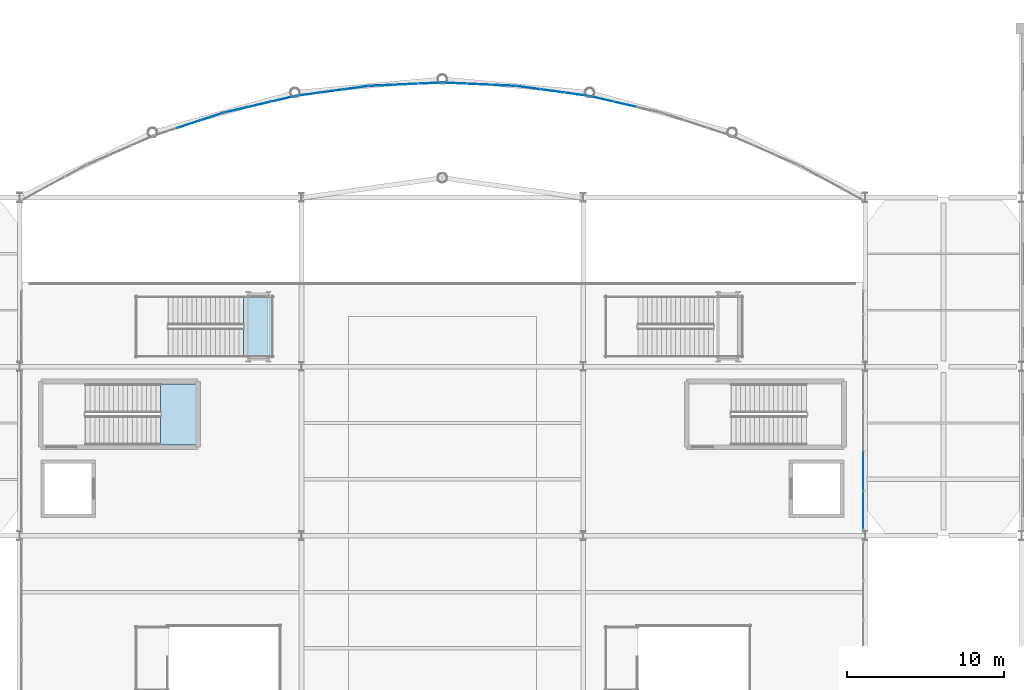
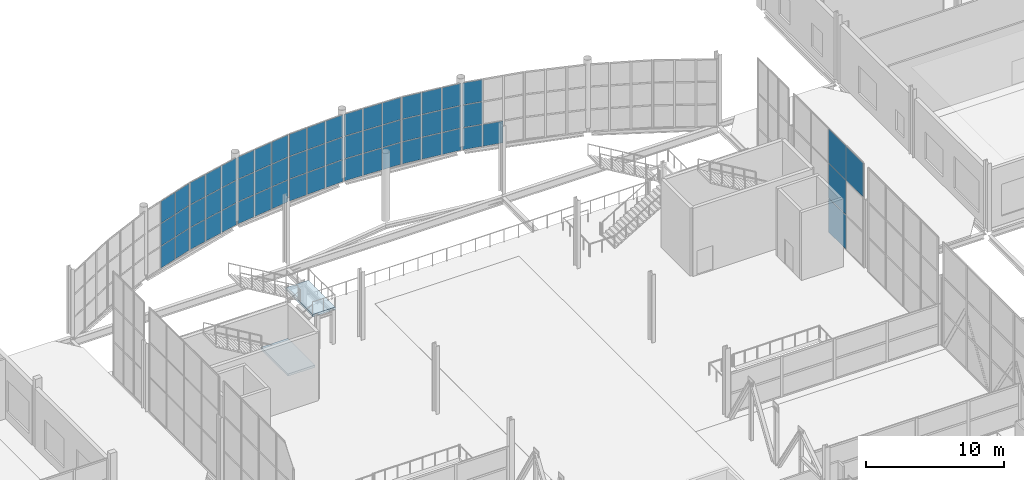
# One storey, part 155 of 191: 59 plates, 2 slabs, 10 elements without a shape of their own.
"""IFC4 building model written with IfcOpenShell, lengths in metres."""

from ifc_helpers import new_model, si_unit, direction, frame, origin, origin_2d, place, context, subcontext, project, spatial, polyline, rectangle, outline, extrude, material, layer, layer_set, type_object, element, aggregate, save


model = new_model("IFC4")

# Units and contexts
model_context = context("Model", 3, precision=1e-05, world=origin(), true_north=direction((0.0, 1.0)))
body_context = subcontext(model_context, "Body", "Model", "MODEL_VIEW")
ifc_project = project(units=[si_unit("LENGTHUNIT", "METRE"), si_unit("AREAUNIT", "SQUARE_METRE"), si_unit("VOLUMEUNIT", "CUBIC_METRE"), si_unit("PLANEANGLEUNIT", "RADIAN"), si_unit("MASSUNIT", "GRAM", prefix="KILO")], contexts=[model_context])

# Site, building, storey
site_placement = place(None, origin())
site = spatial("IfcSite", under=ifc_project, at=site_placement, CompositionType="ELEMENT")
building_placement = place(site_placement, origin())
building = spatial("IfcBuilding", under=site, at=building_placement, Name="Tamarisk Ironworks Central Station", CompositionType="ELEMENT")
storey_placement = place(building_placement, frame((0.0, 0.0, 6.60009765625)))
storey = spatial("IfcBuildingStorey", under=building, at=storey_placement, Name="L01", CompositionType="ELEMENT", Elevation=6.60009765625)

# Curtain wall, plates
ifc_material_1 = material(Name="Anodized aluminium alloy 6063-T6", Category="aluminium")
ifc_layer_1 = layer(ifc_material_1, 0.179931640625)
ifc_layer_set_1 = layer_set([ifc_layer_1], Name="Anodized aluminium alloy 6063-T6")
curtain_wall_type_1 = type_object("IfcCurtainWallType", Name="CW-08", PredefinedType="USERDEFINED", material=ifc_layer_set_1)
curtain_wall_1_placement = place(storey_placement, origin())
curtain_wall_1 = element("IfcCurtainWall", 1, at=curtain_wall_1_placement, inside=storey, type_object=curtain_wall_type_1, Name="Concourse E track-overlook curtain wall 07", ObjectType="GLAZED CURTAIN WALL", PredefinedType="USERDEFINED")
ifc_layer_2 = layer(ifc_material_1, 0.02392578125)
ifc_layer_set_2 = layer_set([ifc_layer_2], Name="Anodized aluminium alloy 6063-T6")
plate_type_1 = type_object("IfcPlateType", Name="PL-CWP24", PredefinedType="CURTAIN_PANEL", material=ifc_layer_set_2)
plate_1_placement = place(storey_placement, frame((107.8798828125, 91.62744140625, 6.17041015625), z_axis=(0.0, 0.0, 1.0), x_axis=(0.0, 1.0, 0.0)))
plate_1 = element("IfcPlate", 2, at=plate_1_placement, type_object=plate_type_1, Name="CW08 panel 1.3", PredefinedType="CURTAIN_PANEL", context=body_context, shape_type="SweptSolid", body=[
    extrude(rectangle(XDim=2.447021484375, YDim=0.02392578125, at=origin_2d()), origin(), (0.0, 0.0, 1.0), 2.995361328125),
])
plate_2_placement = place(storey_placement, frame((107.8798828125, 94.137451171875, 0.0537109375), z_axis=(0.0, 0.0, 1.0), x_axis=(0.0, 1.0, 0.0)))
plate_2 = element("IfcPlate", 3, at=plate_2_placement, type_object=plate_type_1, Name="CW08 panel 2.1", PredefinedType="CURTAIN_PANEL", context=body_context, shape_type="SweptSolid", body=[
    extrude(rectangle(XDim=2.47705078125, YDim=0.02392578125, at=origin_2d()), origin(), (0.0, 0.0, 1.0), 2.995361328125),
])
plate_3_placement = place(storey_placement, frame((107.8798828125, 94.137451171875, 3.09716796875), z_axis=(0.0, 0.0, 1.0), x_axis=(0.0, 1.0, 0.0)))
plate_3 = element("IfcPlate", 4, at=plate_3_placement, type_object=plate_type_1, Name="CW08 panel 2.2", PredefinedType="CURTAIN_PANEL", context=body_context, shape_type="SweptSolid", body=[
    extrude(rectangle(XDim=2.47705078125, YDim=0.02392578125, at=origin_2d()), origin(), (0.0, 0.0, 1.0), 3.025390625),
])
plate_4_placement = place(storey_placement, frame((107.8798828125, 94.137451171875, 6.17041015625), z_axis=(0.0, 0.0, 1.0), x_axis=(0.0, 1.0, 0.0)))
plate_4 = element("IfcPlate", 5, at=plate_4_placement, type_object=plate_type_1, Name="CW08 panel 2.3", PredefinedType="CURTAIN_PANEL", context=body_context, shape_type="SweptSolid", body=[
    extrude(rectangle(XDim=2.47705078125, YDim=0.02392578125, at=origin_2d()), origin(), (0.0, 0.0, 1.0), 2.995361328125),
])
aggregate(curtain_wall_1, [plate_1, plate_2, plate_3, plate_4])

ifc_layer_3 = layer(ifc_material_1, 0.179931640625)
ifc_layer_set_3 = layer_set([ifc_layer_3], Name="Anodized aluminium alloy 6063-T6")
curtain_wall_type_2 = type_object("IfcCurtainWallType", Name="CW-02", PredefinedType="USERDEFINED", material=ifc_layer_set_3)
curtain_wall_2_placement = place(storey_placement, origin())
curtain_wall_2 = element("IfcCurtainWall", 6, at=curtain_wall_2_placement, inside=storey, type_object=curtain_wall_type_2, Name="NN rounded entrance hall L01 curtain wall bay 03", ObjectType="GLAZED CURTAIN WALL", PredefinedType="USERDEFINED")
ifc_material_2 = material(Name="Laminated solar-control low-E glass", Category="glass")
ifc_layer_4 = layer(ifc_material_2, 0.028076171875)
ifc_layer_set_4 = layer_set([ifc_layer_4], Name="Laminated solar-control low-E glass")
plate_type_2 = type_object("IfcPlateType", Name="PL-CWP28", PredefinedType="CURTAIN_PANEL", material=ifc_layer_set_4)
plate_5_placement = place(storey_placement, frame((64.8046875, 116.28466796875, -0.3310546875), z_axis=(0.0, 0.0, 1.0), x_axis=(0.949720671692, 0.313098460171, 0.0)))
plate_5 = element("IfcPlate", 7, at=plate_5_placement, type_object=plate_type_2, Name="CW02 panel 2.1", PredefinedType="CURTAIN_PANEL", context=body_context, shape_type="SweptSolid", body=[
    extrude(rectangle(XDim=1.52197265625, YDim=0.028076171875, at=origin_2d()), origin(), (0.0, 0.0, 1.0), 1.923583984375),
])
plate_6_placement = place(storey_placement, frame((64.8046875, 116.28466796875, 1.640625), z_axis=(0.0, 0.0, 1.0), x_axis=(0.949720671692, 0.313098460171, 0.0)))
plate_6 = element("IfcPlate", 8, at=plate_6_placement, type_object=plate_type_2, Name="CW02 panel 2.2", PredefinedType="CURTAIN_PANEL", context=body_context, shape_type="SweptSolid", body=[
    extrude(rectangle(XDim=1.52197265625, YDim=0.028076171875, at=origin_2d()), origin(), (0.0, 0.0, 1.0), 1.95361328125),
])
plate_7_placement = place(storey_placement, frame((64.8046875, 116.28466796875, 3.64208984375), z_axis=(0.0, 0.0, 1.0), x_axis=(0.949720671692, 0.313098460171, 0.0)))
plate_7 = element("IfcPlate", 9, at=plate_7_placement, type_object=plate_type_2, Name="CW02 panel 2.3", PredefinedType="CURTAIN_PANEL", context=body_context, shape_type="SweptSolid", body=[
    extrude(rectangle(XDim=1.52197265625, YDim=0.028076171875, at=origin_2d()), origin(), (0.0, 0.0, 1.0), 1.923583984375),
])
plate_8_placement = place(storey_placement, frame((66.28125, 116.771484375, -0.3310546875), z_axis=(0.0, 0.0, 1.0), x_axis=(0.949720671692, 0.313098460171, 0.0)))
plate_8 = element("IfcPlate", 10, at=plate_8_placement, type_object=plate_type_2, Name="CW02 panel 3.1", PredefinedType="CURTAIN_PANEL", context=body_context, shape_type="SweptSolid", body=[
    extrude(rectangle(XDim=1.491943359375, YDim=0.028076171875, at=origin_2d()), origin(), (0.0, 0.0, 1.0), 1.923583984375),
])
plate_9_placement = place(storey_placement, frame((66.28125, 116.771484375, 1.640625), z_axis=(0.0, 0.0, 1.0), x_axis=(0.949720671692, 0.313098460171, 0.0)))
plate_9 = element("IfcPlate", 11, at=plate_9_placement, type_object=plate_type_2, Name="CW02 panel 3.2", PredefinedType="CURTAIN_PANEL", context=body_context, shape_type="SweptSolid", body=[
    extrude(rectangle(XDim=1.491943359375, YDim=0.028076171875, at=origin_2d()), origin(), (0.0, 0.0, 1.0), 1.95361328125),
])
plate_10_placement = place(storey_placement, frame((66.28125, 116.771484375, 3.64208984375), z_axis=(0.0, 0.0, 1.0), x_axis=(0.949720671692, 0.313098460171, 0.0)))
plate_10 = element("IfcPlate", 12, at=plate_10_placement, type_object=plate_type_2, Name="CW02 panel 3.3", PredefinedType="CURTAIN_PANEL", context=body_context, shape_type="SweptSolid", body=[
    extrude(rectangle(XDim=1.491943359375, YDim=0.028076171875, at=origin_2d()), origin(), (0.0, 0.0, 1.0), 1.923583984375),
])
aggregate(curtain_wall_2, [plate_5, plate_6, plate_7, plate_8, plate_9, plate_10])

curtain_wall_3_placement = place(storey_placement, origin())
curtain_wall_3 = element("IfcCurtainWall", 13, at=curtain_wall_3_placement, inside=storey, type_object=curtain_wall_type_2, Name="NN rounded entrance hall L01 curtain wall bay 04", ObjectType="GLAZED CURTAIN WALL", PredefinedType="USERDEFINED")
plate_11_placement = place(storey_placement, frame((67.8203125, 117.202392578125, -0.3310546875), z_axis=(0.0, 0.0, 1.0), x_axis=(0.974239240545, 0.225516966506, 0.0)))
plate_11 = element("IfcPlate", 14, at=plate_11_placement, type_object=plate_type_2, Name="CW02 panel 1.1", PredefinedType="CURTAIN_PANEL", context=body_context, shape_type="SweptSolid", body=[
    extrude(rectangle(XDim=1.491943359375, YDim=0.028076171875, at=origin_2d()), origin(), (0.0, 0.0, 1.0), 1.923583984375),
])
plate_12_placement = place(storey_placement, frame((67.8203125, 117.202392578125, 1.640625), z_axis=(0.0, 0.0, 1.0), x_axis=(0.974239240545, 0.225516966506, 0.0)))
plate_12 = element("IfcPlate", 15, at=plate_12_placement, type_object=plate_type_2, Name="CW02 panel 1.2", PredefinedType="CURTAIN_PANEL", context=body_context, shape_type="SweptSolid", body=[
    extrude(rectangle(XDim=1.491943359375, YDim=0.028076171875, at=origin_2d()), origin(), (0.0, 0.0, 1.0), 1.95361328125),
])
plate_13_placement = place(storey_placement, frame((67.8203125, 117.202392578125, 3.64208984375), z_axis=(0.0, 0.0, 1.0), x_axis=(0.974239240545, 0.225516966506, 0.0)))
plate_13 = element("IfcPlate", 16, at=plate_13_placement, type_object=plate_type_2, Name="CW02 panel 1.3", PredefinedType="CURTAIN_PANEL", context=body_context, shape_type="SweptSolid", body=[
    extrude(rectangle(XDim=1.491943359375, YDim=0.028076171875, at=origin_2d()), origin(), (0.0, 0.0, 1.0), 1.923583984375),
])
plate_14_placement = place(storey_placement, frame((69.335205078125, 117.552978515625, -0.3310546875), z_axis=(0.0, 0.0, 1.0), x_axis=(0.974239240545, 0.225516966506, 0.0)))
plate_14 = element("IfcPlate", 17, at=plate_14_placement, type_object=plate_type_2, Name="CW02 panel 2.1", PredefinedType="CURTAIN_PANEL", context=body_context, shape_type="SweptSolid", body=[
    extrude(rectangle(XDim=1.52197265625, YDim=0.028076171875, at=origin_2d()), origin(), (0.0, 0.0, 1.0), 1.923583984375),
])
plate_15_placement = place(storey_placement, frame((69.335205078125, 117.552978515625, 1.640625), z_axis=(0.0, 0.0, 1.0), x_axis=(0.974239240545, 0.225516966506, 0.0)))
plate_15 = element("IfcPlate", 18, at=plate_15_placement, type_object=plate_type_2, Name="CW02 panel 2.2", PredefinedType="CURTAIN_PANEL", context=body_context, shape_type="SweptSolid", body=[
    extrude(rectangle(XDim=1.52197265625, YDim=0.028076171875, at=origin_2d()), origin(), (0.0, 0.0, 1.0), 1.95361328125),
])
plate_16_placement = place(storey_placement, frame((69.335205078125, 117.552978515625, 3.64208984375), z_axis=(0.0, 0.0, 1.0), x_axis=(0.974239240545, 0.225516966506, 0.0)))
plate_16 = element("IfcPlate", 19, at=plate_16_placement, type_object=plate_type_2, Name="CW02 panel 2.3", PredefinedType="CURTAIN_PANEL", context=body_context, shape_type="SweptSolid", body=[
    extrude(rectangle(XDim=1.52197265625, YDim=0.028076171875, at=origin_2d()), origin(), (0.0, 0.0, 1.0), 1.923583984375),
])
plate_17_placement = place(storey_placement, frame((70.85009765625, 117.90380859375, -0.3310546875), z_axis=(0.0, 0.0, 1.0), x_axis=(0.974239240545, 0.225516966506, 0.0)))
plate_17 = element("IfcPlate", 20, at=plate_17_placement, type_object=plate_type_2, Name="CW02 panel 3.1", PredefinedType="CURTAIN_PANEL", context=body_context, shape_type="SweptSolid", body=[
    extrude(rectangle(XDim=1.491943359375, YDim=0.028076171875, at=origin_2d()), origin(), (0.0, 0.0, 1.0), 1.923583984375),
])
plate_18_placement = place(storey_placement, frame((70.85009765625, 117.90380859375, 1.640625), z_axis=(0.0, 0.0, 1.0), x_axis=(0.974239240545, 0.225516966506, 0.0)))
plate_18 = element("IfcPlate", 21, at=plate_18_placement, type_object=plate_type_2, Name="CW02 panel 3.2", PredefinedType="CURTAIN_PANEL", context=body_context, shape_type="SweptSolid", body=[
    extrude(rectangle(XDim=1.491943359375, YDim=0.028076171875, at=origin_2d()), origin(), (0.0, 0.0, 1.0), 1.95361328125),
])
plate_19_placement = place(storey_placement, frame((70.85009765625, 117.90380859375, 3.64208984375), z_axis=(0.0, 0.0, 1.0), x_axis=(0.974239240545, 0.225516966506, 0.0)))
plate_19 = element("IfcPlate", 22, at=plate_19_placement, type_object=plate_type_2, Name="CW02 panel 3.3", PredefinedType="CURTAIN_PANEL", context=body_context, shape_type="SweptSolid", body=[
    extrude(rectangle(XDim=1.491943359375, YDim=0.028076171875, at=origin_2d()), origin(), (0.0, 0.0, 1.0), 1.923583984375),
])
aggregate(curtain_wall_3, [plate_11, plate_12, plate_13, plate_14, plate_15, plate_16, plate_17, plate_18, plate_19])

curtain_wall_4_placement = place(storey_placement, origin())
curtain_wall_4 = element("IfcCurtainWall", 23, at=curtain_wall_4_placement, inside=storey, type_object=curtain_wall_type_2, Name="NN rounded entrance hall L01 curtain wall bay 05", ObjectType="GLAZED CURTAIN WALL", PredefinedType="USERDEFINED")
plate_20_placement = place(storey_placement, frame((72.421875, 118.19287109375, -0.3310546875), z_axis=(0.0, 0.0, 1.0), x_axis=(0.990703108403, 0.136041725218, 0.0)))
plate_20 = element("IfcPlate", 24, at=plate_20_placement, type_object=plate_type_2, Name="CW02 panel 1.1", PredefinedType="CURTAIN_PANEL", context=body_context, shape_type="SweptSolid", body=[
    extrude(rectangle(XDim=1.491943359375, YDim=0.028076171875, at=origin_2d()), origin(), (0.0, 0.0, 1.0), 1.923583984375),
])
plate_21_placement = place(storey_placement, frame((72.421875, 118.19287109375, 1.640625), z_axis=(0.0, 0.0, 1.0), x_axis=(0.990703108403, 0.136041725218, 0.0)))
plate_21 = element("IfcPlate", 25, at=plate_21_placement, type_object=plate_type_2, Name="CW02 panel 1.2", PredefinedType="CURTAIN_PANEL", context=body_context, shape_type="SweptSolid", body=[
    extrude(rectangle(XDim=1.491943359375, YDim=0.028076171875, at=origin_2d()), origin(), (0.0, 0.0, 1.0), 1.95361328125),
])
plate_22_placement = place(storey_placement, frame((72.421875, 118.19287109375, 3.64208984375), z_axis=(0.0, 0.0, 1.0), x_axis=(0.990703108403, 0.136041725218, 0.0)))
plate_22 = element("IfcPlate", 26, at=plate_22_placement, type_object=plate_type_2, Name="CW02 panel 1.3", PredefinedType="CURTAIN_PANEL", context=body_context, shape_type="SweptSolid", body=[
    extrude(rectangle(XDim=1.491943359375, YDim=0.028076171875, at=origin_2d()), origin(), (0.0, 0.0, 1.0), 1.923583984375),
])
plate_23_placement = place(storey_placement, frame((73.96240234375, 118.404541015625, -0.3310546875), z_axis=(0.0, 0.0, 1.0), x_axis=(0.990703108403, 0.136041725218, 0.0)))
plate_23 = element("IfcPlate", 27, at=plate_23_placement, type_object=plate_type_2, Name="CW02 panel 2.1", PredefinedType="CURTAIN_PANEL", context=body_context, shape_type="SweptSolid", body=[
    extrude(rectangle(XDim=1.52197265625, YDim=0.028076171875, at=origin_2d()), origin(), (0.0, 0.0, 1.0), 1.923583984375),
])
plate_24_placement = place(storey_placement, frame((73.96240234375, 118.404541015625, 1.640625), z_axis=(0.0, 0.0, 1.0), x_axis=(0.990703108403, 0.136041725218, 0.0)))
plate_24 = element("IfcPlate", 28, at=plate_24_placement, type_object=plate_type_2, Name="CW02 panel 2.2", PredefinedType="CURTAIN_PANEL", context=body_context, shape_type="SweptSolid", body=[
    extrude(rectangle(XDim=1.52197265625, YDim=0.028076171875, at=origin_2d()), origin(), (0.0, 0.0, 1.0), 1.95361328125),
])
plate_25_placement = place(storey_placement, frame((73.96240234375, 118.404541015625, 3.64208984375), z_axis=(0.0, 0.0, 1.0), x_axis=(0.990703108403, 0.136041725218, 0.0)))
plate_25 = element("IfcPlate", 29, at=plate_25_placement, type_object=plate_type_2, Name="CW02 panel 2.3", PredefinedType="CURTAIN_PANEL", context=body_context, shape_type="SweptSolid", body=[
    extrude(rectangle(XDim=1.52197265625, YDim=0.028076171875, at=origin_2d()), origin(), (0.0, 0.0, 1.0), 1.923583984375),
])
plate_26_placement = place(storey_placement, frame((75.502685546875, 118.615966796875, -0.3310546875), z_axis=(0.0, 0.0, 1.0), x_axis=(0.990703108403, 0.136041725218, 0.0)))
plate_26 = element("IfcPlate", 30, at=plate_26_placement, type_object=plate_type_2, Name="CW02 panel 3.1", PredefinedType="CURTAIN_PANEL", context=body_context, shape_type="SweptSolid", body=[
    extrude(rectangle(XDim=1.491943359375, YDim=0.028076171875, at=origin_2d()), origin(), (0.0, 0.0, 1.0), 1.923583984375),
])
plate_27_placement = place(storey_placement, frame((75.502685546875, 118.615966796875, 1.640625), z_axis=(0.0, 0.0, 1.0), x_axis=(0.990703108403, 0.136041725218, 0.0)))
plate_27 = element("IfcPlate", 31, at=plate_27_placement, type_object=plate_type_2, Name="CW02 panel 3.2", PredefinedType="CURTAIN_PANEL", context=body_context, shape_type="SweptSolid", body=[
    extrude(rectangle(XDim=1.491943359375, YDim=0.028076171875, at=origin_2d()), origin(), (0.0, 0.0, 1.0), 1.95361328125),
])
plate_28_placement = place(storey_placement, frame((75.502685546875, 118.615966796875, 3.64208984375), z_axis=(0.0, 0.0, 1.0), x_axis=(0.990703108403, 0.136041725218, 0.0)))
plate_28 = element("IfcPlate", 32, at=plate_28_placement, type_object=plate_type_2, Name="CW02 panel 3.3", PredefinedType="CURTAIN_PANEL", context=body_context, shape_type="SweptSolid", body=[
    extrude(rectangle(XDim=1.491943359375, YDim=0.028076171875, at=origin_2d()), origin(), (0.0, 0.0, 1.0), 1.923583984375),
])
aggregate(curtain_wall_4, [plate_20, plate_21, plate_22, plate_23, plate_24, plate_25, plate_26, plate_27, plate_28])

curtain_wall_5_placement = place(storey_placement, origin())
curtain_wall_5 = element("IfcCurtainWall", 33, at=curtain_wall_5_placement, inside=storey, type_object=curtain_wall_type_2, Name="NN rounded entrance hall L01 curtain wall bay 06", ObjectType="GLAZED CURTAIN WALL", PredefinedType="USERDEFINED")
plate_29_placement = place(storey_placement, frame((77.09423828125, 118.76123046875, -0.3310546875), z_axis=(0.0, 0.0, 1.0), x_axis=(0.998965210312, 0.045480859558, 0.0)))
plate_29 = element("IfcPlate", 34, at=plate_29_placement, type_object=plate_type_2, Name="CW02 panel 1.1", PredefinedType="CURTAIN_PANEL", context=body_context, shape_type="SweptSolid", body=[
    extrude(rectangle(XDim=1.491943359375, YDim=0.028076171875, at=origin_2d()), origin(), (0.0, 0.0, 1.0), 1.923583984375),
])
plate_30_placement = place(storey_placement, frame((77.09423828125, 118.76123046875, 1.640625), z_axis=(0.0, 0.0, 1.0), x_axis=(0.998965210312, 0.045480859558, 0.0)))
plate_30 = element("IfcPlate", 35, at=plate_30_placement, type_object=plate_type_2, Name="CW02 panel 1.2", PredefinedType="CURTAIN_PANEL", context=body_context, shape_type="SweptSolid", body=[
    extrude(rectangle(XDim=1.491943359375, YDim=0.028076171875, at=origin_2d()), origin(), (0.0, 0.0, 1.0), 1.95361328125),
])
plate_31_placement = place(storey_placement, frame((77.09423828125, 118.76123046875, 3.64208984375), z_axis=(0.0, 0.0, 1.0), x_axis=(0.998965210312, 0.045480859558, 0.0)))
plate_31 = element("IfcPlate", 36, at=plate_31_placement, type_object=plate_type_2, Name="CW02 panel 1.3", PredefinedType="CURTAIN_PANEL", context=body_context, shape_type="SweptSolid", body=[
    extrude(rectangle(XDim=1.491943359375, YDim=0.028076171875, at=origin_2d()), origin(), (0.0, 0.0, 1.0), 1.923583984375),
])
plate_32_placement = place(storey_placement, frame((78.647705078125, 118.831787109375, -0.3310546875), z_axis=(0.0, 0.0, 1.0), x_axis=(0.998965210312, 0.045480859558, 0.0)))
plate_32 = element("IfcPlate", 37, at=plate_32_placement, type_object=plate_type_2, Name="CW02 panel 2.1", PredefinedType="CURTAIN_PANEL", context=body_context, shape_type="SweptSolid", body=[
    extrude(rectangle(XDim=1.52197265625, YDim=0.028076171875, at=origin_2d()), origin(), (0.0, 0.0, 1.0), 1.923583984375),
])
plate_33_placement = place(storey_placement, frame((78.647705078125, 118.831787109375, 1.640625), z_axis=(0.0, 0.0, 1.0), x_axis=(0.998965210312, 0.045480859558, 0.0)))
plate_33 = element("IfcPlate", 38, at=plate_33_placement, type_object=plate_type_2, Name="CW02 panel 2.2", PredefinedType="CURTAIN_PANEL", context=body_context, shape_type="SweptSolid", body=[
    extrude(rectangle(XDim=1.52197265625, YDim=0.028076171875, at=origin_2d()), origin(), (0.0, 0.0, 1.0), 1.95361328125),
])
plate_34_placement = place(storey_placement, frame((78.647705078125, 118.831787109375, 3.64208984375), z_axis=(0.0, 0.0, 1.0), x_axis=(0.998965210312, 0.045480859558, 0.0)))
plate_34 = element("IfcPlate", 39, at=plate_34_placement, type_object=plate_type_2, Name="CW02 panel 2.3", PredefinedType="CURTAIN_PANEL", context=body_context, shape_type="SweptSolid", body=[
    extrude(rectangle(XDim=1.52197265625, YDim=0.028076171875, at=origin_2d()), origin(), (0.0, 0.0, 1.0), 1.923583984375),
])
plate_35_placement = place(storey_placement, frame((80.200927734375, 118.902587890625, -0.3310546875), z_axis=(0.0, 0.0, 1.0), x_axis=(0.998965210312, 0.045480859558, 0.0)))
plate_35 = element("IfcPlate", 40, at=plate_35_placement, type_object=plate_type_2, Name="CW02 panel 3.1", PredefinedType="CURTAIN_PANEL", context=body_context, shape_type="SweptSolid", body=[
    extrude(rectangle(XDim=1.491943359375, YDim=0.028076171875, at=origin_2d()), origin(), (0.0, 0.0, 1.0), 1.923583984375),
])
plate_36_placement = place(storey_placement, frame((80.200927734375, 118.902587890625, 1.640625), z_axis=(0.0, 0.0, 1.0), x_axis=(0.998965210312, 0.045480859558, 0.0)))
plate_36 = element("IfcPlate", 41, at=plate_36_placement, type_object=plate_type_2, Name="CW02 panel 3.2", PredefinedType="CURTAIN_PANEL", context=body_context, shape_type="SweptSolid", body=[
    extrude(rectangle(XDim=1.491943359375, YDim=0.028076171875, at=origin_2d()), origin(), (0.0, 0.0, 1.0), 1.95361328125),
])
plate_37_placement = place(storey_placement, frame((80.200927734375, 118.902587890625, 3.64208984375), z_axis=(0.0, 0.0, 1.0), x_axis=(0.998965210312, 0.045480859558, 0.0)))
plate_37 = element("IfcPlate", 42, at=plate_37_placement, type_object=plate_type_2, Name="CW02 panel 3.3", PredefinedType="CURTAIN_PANEL", context=body_context, shape_type="SweptSolid", body=[
    extrude(rectangle(XDim=1.491943359375, YDim=0.028076171875, at=origin_2d()), origin(), (0.0, 0.0, 1.0), 1.923583984375),
])
aggregate(curtain_wall_5, [plate_29, plate_30, plate_31, plate_32, plate_33, plate_34, plate_35, plate_36, plate_37])

curtain_wall_6_placement = place(storey_placement, origin())
curtain_wall_6 = element("IfcCurtainWall", 43, at=curtain_wall_6_placement, inside=storey, type_object=curtain_wall_type_2, Name="NN rounded entrance hall L01 curtain wall bay 07", ObjectType="GLAZED CURTAIN WALL", PredefinedType="USERDEFINED")
plate_38_placement = place(storey_placement, frame((81.799072265625, 118.902587890625, -0.3310546875), z_axis=(0.0, 0.0, 1.0), x_axis=(0.998965210312, -0.045480859558, 0.0)))
plate_38 = element("IfcPlate", 44, at=plate_38_placement, type_object=plate_type_2, Name="CW02 panel 1.1", PredefinedType="CURTAIN_PANEL", context=body_context, shape_type="SweptSolid", body=[
    extrude(rectangle(XDim=1.491943359375, YDim=0.028076171875, at=origin_2d()), origin(), (0.0, 0.0, 1.0), 1.923583984375),
])
plate_39_placement = place(storey_placement, frame((81.799072265625, 118.902587890625, 1.640625), z_axis=(0.0, 0.0, 1.0), x_axis=(0.998965210312, -0.045480859558, 0.0)))
plate_39 = element("IfcPlate", 45, at=plate_39_placement, type_object=plate_type_2, Name="CW02 panel 1.2", PredefinedType="CURTAIN_PANEL", context=body_context, shape_type="SweptSolid", body=[
    extrude(rectangle(XDim=1.491943359375, YDim=0.028076171875, at=origin_2d()), origin(), (0.0, 0.0, 1.0), 1.95361328125),
])
plate_40_placement = place(storey_placement, frame((81.799072265625, 118.902587890625, 3.64208984375), z_axis=(0.0, 0.0, 1.0), x_axis=(0.998965210312, -0.045480859558, 0.0)))
plate_40 = element("IfcPlate", 46, at=plate_40_placement, type_object=plate_type_2, Name="CW02 panel 1.3", PredefinedType="CURTAIN_PANEL", context=body_context, shape_type="SweptSolid", body=[
    extrude(rectangle(XDim=1.491943359375, YDim=0.028076171875, at=origin_2d()), origin(), (0.0, 0.0, 1.0), 1.923583984375),
])
plate_41_placement = place(storey_placement, frame((83.352294921875, 118.831787109375, -0.3310546875), z_axis=(0.0, 0.0, 1.0), x_axis=(0.998965210312, -0.045480859558, 0.0)))
plate_41 = element("IfcPlate", 47, at=plate_41_placement, type_object=plate_type_2, Name="CW02 panel 2.1", PredefinedType="CURTAIN_PANEL", context=body_context, shape_type="SweptSolid", body=[
    extrude(rectangle(XDim=1.52197265625, YDim=0.028076171875, at=origin_2d()), origin(), (0.0, 0.0, 1.0), 1.923583984375),
])
plate_42_placement = place(storey_placement, frame((83.352294921875, 118.831787109375, 1.640625), z_axis=(0.0, 0.0, 1.0), x_axis=(0.998965210312, -0.045480859558, 0.0)))
plate_42 = element("IfcPlate", 48, at=plate_42_placement, type_object=plate_type_2, Name="CW02 panel 2.2", PredefinedType="CURTAIN_PANEL", context=body_context, shape_type="SweptSolid", body=[
    extrude(rectangle(XDim=1.52197265625, YDim=0.028076171875, at=origin_2d()), origin(), (0.0, 0.0, 1.0), 1.95361328125),
])
plate_43_placement = place(storey_placement, frame((83.352294921875, 118.831787109375, 3.64208984375), z_axis=(0.0, 0.0, 1.0), x_axis=(0.998965210312, -0.045480859558, 0.0)))
plate_43 = element("IfcPlate", 49, at=plate_43_placement, type_object=plate_type_2, Name="CW02 panel 2.3", PredefinedType="CURTAIN_PANEL", context=body_context, shape_type="SweptSolid", body=[
    extrude(rectangle(XDim=1.52197265625, YDim=0.028076171875, at=origin_2d()), origin(), (0.0, 0.0, 1.0), 1.923583984375),
])
plate_44_placement = place(storey_placement, frame((84.90576171875, 118.76123046875, -0.3310546875), z_axis=(0.0, 0.0, 1.0), x_axis=(0.998965210312, -0.045480859558, 0.0)))
plate_44 = element("IfcPlate", 50, at=plate_44_placement, type_object=plate_type_2, Name="CW02 panel 3.1", PredefinedType="CURTAIN_PANEL", context=body_context, shape_type="SweptSolid", body=[
    extrude(rectangle(XDim=1.491943359375, YDim=0.028076171875, at=origin_2d()), origin(), (0.0, 0.0, 1.0), 1.923583984375),
])
plate_45_placement = place(storey_placement, frame((84.90576171875, 118.76123046875, 1.640625), z_axis=(0.0, 0.0, 1.0), x_axis=(0.998965210312, -0.045480859558, 0.0)))
plate_45 = element("IfcPlate", 51, at=plate_45_placement, type_object=plate_type_2, Name="CW02 panel 3.2", PredefinedType="CURTAIN_PANEL", context=body_context, shape_type="SweptSolid", body=[
    extrude(rectangle(XDim=1.491943359375, YDim=0.028076171875, at=origin_2d()), origin(), (0.0, 0.0, 1.0), 1.95361328125),
])
plate_46_placement = place(storey_placement, frame((84.90576171875, 118.76123046875, 3.64208984375), z_axis=(0.0, 0.0, 1.0), x_axis=(0.998965210312, -0.045480859558, 0.0)))
plate_46 = element("IfcPlate", 52, at=plate_46_placement, type_object=plate_type_2, Name="CW02 panel 3.3", PredefinedType="CURTAIN_PANEL", context=body_context, shape_type="SweptSolid", body=[
    extrude(rectangle(XDim=1.491943359375, YDim=0.028076171875, at=origin_2d()), origin(), (0.0, 0.0, 1.0), 1.923583984375),
])
aggregate(curtain_wall_6, [plate_38, plate_39, plate_40, plate_41, plate_42, plate_43, plate_44, plate_45, plate_46])

curtain_wall_7_placement = place(storey_placement, origin())
curtain_wall_7 = element("IfcCurtainWall", 53, at=curtain_wall_7_placement, inside=storey, type_object=curtain_wall_type_2, Name="NN rounded entrance hall L01 curtain wall bay 08", ObjectType="GLAZED CURTAIN WALL", PredefinedType="USERDEFINED")
plate_47_placement = place(storey_placement, frame((86.497314453125, 118.615966796875, -0.3310546875), z_axis=(0.0, 0.0, 1.0), x_axis=(0.990703108403, -0.136041725218, 0.0)))
plate_47 = element("IfcPlate", 54, at=plate_47_placement, type_object=plate_type_2, Name="CW02 panel 1.1", PredefinedType="CURTAIN_PANEL", context=body_context, shape_type="SweptSolid", body=[
    extrude(rectangle(XDim=1.491943359375, YDim=0.028076171875, at=origin_2d()), origin(), (0.0, 0.0, 1.0), 1.923583984375),
])
plate_48_placement = place(storey_placement, frame((86.497314453125, 118.615966796875, 1.640625), z_axis=(0.0, 0.0, 1.0), x_axis=(0.990703108403, -0.136041725218, 0.0)))
plate_48 = element("IfcPlate", 55, at=plate_48_placement, type_object=plate_type_2, Name="CW02 panel 1.2", PredefinedType="CURTAIN_PANEL", context=body_context, shape_type="SweptSolid", body=[
    extrude(rectangle(XDim=1.491943359375, YDim=0.028076171875, at=origin_2d()), origin(), (0.0, 0.0, 1.0), 1.95361328125),
])
plate_49_placement = place(storey_placement, frame((86.497314453125, 118.615966796875, 3.64208984375), z_axis=(0.0, 0.0, 1.0), x_axis=(0.990703108403, -0.136041725218, 0.0)))
plate_49 = element("IfcPlate", 56, at=plate_49_placement, type_object=plate_type_2, Name="CW02 panel 1.3", PredefinedType="CURTAIN_PANEL", context=body_context, shape_type="SweptSolid", body=[
    extrude(rectangle(XDim=1.491943359375, YDim=0.028076171875, at=origin_2d()), origin(), (0.0, 0.0, 1.0), 1.923583984375),
])
plate_50_placement = place(storey_placement, frame((88.03759765625, 118.404541015625, -0.3310546875), z_axis=(0.0, 0.0, 1.0), x_axis=(0.990703108403, -0.136041725218, 0.0)))
plate_50 = element("IfcPlate", 57, at=plate_50_placement, type_object=plate_type_2, Name="CW02 panel 2.1", PredefinedType="CURTAIN_PANEL", context=body_context, shape_type="SweptSolid", body=[
    extrude(rectangle(XDim=1.52197265625, YDim=0.028076171875, at=origin_2d()), origin(), (0.0, 0.0, 1.0), 1.923583984375),
])
plate_51_placement = place(storey_placement, frame((88.03759765625, 118.404541015625, 1.640625), z_axis=(0.0, 0.0, 1.0), x_axis=(0.990703108403, -0.136041725218, 0.0)))
plate_51 = element("IfcPlate", 58, at=plate_51_placement, type_object=plate_type_2, Name="CW02 panel 2.2", PredefinedType="CURTAIN_PANEL", context=body_context, shape_type="SweptSolid", body=[
    extrude(rectangle(XDim=1.52197265625, YDim=0.028076171875, at=origin_2d()), origin(), (0.0, 0.0, 1.0), 1.95361328125),
])
plate_52_placement = place(storey_placement, frame((88.03759765625, 118.404541015625, 3.64208984375), z_axis=(0.0, 0.0, 1.0), x_axis=(0.990703108403, -0.136041725218, 0.0)))
plate_52 = element("IfcPlate", 59, at=plate_52_placement, type_object=plate_type_2, Name="CW02 panel 2.3", PredefinedType="CURTAIN_PANEL", context=body_context, shape_type="SweptSolid", body=[
    extrude(rectangle(XDim=1.52197265625, YDim=0.028076171875, at=origin_2d()), origin(), (0.0, 0.0, 1.0), 1.923583984375),
])
plate_53_placement = place(storey_placement, frame((89.578125, 118.19287109375, -0.3310546875), z_axis=(0.0, 0.0, 1.0), x_axis=(0.990703108403, -0.136041725218, 0.0)))
plate_53 = element("IfcPlate", 60, at=plate_53_placement, type_object=plate_type_2, Name="CW02 panel 3.1", PredefinedType="CURTAIN_PANEL", context=body_context, shape_type="SweptSolid", body=[
    extrude(rectangle(XDim=1.491943359375, YDim=0.028076171875, at=origin_2d()), origin(), (0.0, 0.0, 1.0), 1.923583984375),
])
plate_54_placement = place(storey_placement, frame((89.578125, 118.19287109375, 1.640625), z_axis=(0.0, 0.0, 1.0), x_axis=(0.990703108403, -0.136041725218, 0.0)))
plate_54 = element("IfcPlate", 61, at=plate_54_placement, type_object=plate_type_2, Name="CW02 panel 3.2", PredefinedType="CURTAIN_PANEL", context=body_context, shape_type="SweptSolid", body=[
    extrude(rectangle(XDim=1.491943359375, YDim=0.028076171875, at=origin_2d()), origin(), (0.0, 0.0, 1.0), 1.95361328125),
])
plate_55_placement = place(storey_placement, frame((89.578125, 118.19287109375, 3.64208984375), z_axis=(0.0, 0.0, 1.0), x_axis=(0.990703108403, -0.136041725218, 0.0)))
plate_55 = element("IfcPlate", 62, at=plate_55_placement, type_object=plate_type_2, Name="CW02 panel 3.3", PredefinedType="CURTAIN_PANEL", context=body_context, shape_type="SweptSolid", body=[
    extrude(rectangle(XDim=1.491943359375, YDim=0.028076171875, at=origin_2d()), origin(), (0.0, 0.0, 1.0), 1.923583984375),
])
aggregate(curtain_wall_7, [plate_47, plate_48, plate_49, plate_50, plate_51, plate_52, plate_53, plate_54, plate_55])

curtain_wall_8_placement = place(storey_placement, origin())
curtain_wall_8 = element("IfcCurtainWall", 63, at=curtain_wall_8_placement, inside=storey, type_object=curtain_wall_type_2, Name="NN rounded entrance hall L01 curtain wall bay 09", ObjectType="GLAZED CURTAIN WALL", PredefinedType="USERDEFINED")
plate_56_placement = place(storey_placement, frame((91.14990234375, 117.90380859375, -0.3310546875), z_axis=(0.0, 0.0, 1.0), x_axis=(0.974239240545, -0.225516966506, 0.0)))
plate_56 = element("IfcPlate", 64, at=plate_56_placement, type_object=plate_type_2, Name="CW02 panel 1.1", PredefinedType="CURTAIN_PANEL", context=body_context, shape_type="SweptSolid", body=[
    extrude(rectangle(XDim=1.491943359375, YDim=0.028076171875, at=origin_2d()), origin(), (0.0, 0.0, 1.0), 1.923583984375),
])
plate_57_placement = place(storey_placement, frame((91.14990234375, 117.90380859375, 1.640625), z_axis=(0.0, 0.0, 1.0), x_axis=(0.974239240545, -0.225516966506, 0.0)))
plate_57 = element("IfcPlate", 65, at=plate_57_placement, type_object=plate_type_2, Name="CW02 panel 1.2", PredefinedType="CURTAIN_PANEL", context=body_context, shape_type="SweptSolid", body=[
    extrude(rectangle(XDim=1.491943359375, YDim=0.028076171875, at=origin_2d()), origin(), (0.0, 0.0, 1.0), 1.95361328125),
])
plate_58_placement = place(storey_placement, frame((91.14990234375, 117.90380859375, 3.64208984375), z_axis=(0.0, 0.0, 1.0), x_axis=(0.974239240545, -0.225516966506, 0.0)))
plate_58 = element("IfcPlate", 66, at=plate_58_placement, type_object=plate_type_2, Name="CW02 panel 1.3", PredefinedType="CURTAIN_PANEL", context=body_context, shape_type="SweptSolid", body=[
    extrude(rectangle(XDim=1.491943359375, YDim=0.028076171875, at=origin_2d()), origin(), (0.0, 0.0, 1.0), 1.923583984375),
])
plate_59_placement = place(storey_placement, frame((92.664794921875, 117.552978515625, -0.3310546875), z_axis=(0.0, 0.0, 1.0), x_axis=(0.974239240545, -0.225516966506, 0.0)))
plate_59 = element("IfcPlate", 67, at=plate_59_placement, type_object=plate_type_2, Name="CW02 panel 2.1", PredefinedType="CURTAIN_PANEL", context=body_context, shape_type="SweptSolid", body=[
    extrude(rectangle(XDim=1.52197265625, YDim=0.028076171875, at=origin_2d()), origin(), (0.0, 0.0, 1.0), 1.923583984375),
])
aggregate(curtain_wall_8, [plate_56, plate_57, plate_58, plate_59])

# Stair, slab
ifc_material_3 = material(Name="Concrete C35/45", Category="concrete")
stair_type_1 = type_object("IfcStairType", Name="ST-MEZZ", PredefinedType="HALF_TURN_STAIR", material=ifc_material_3)
stair_1_placement = place(storey_placement, origin())
stair_1 = element("IfcStair", 68, at=stair_1_placement, inside=storey, type_object=stair_type_1, Name="L01 West Mezzanine Overlook Stair", PredefinedType="HALF_TURN_STAIR")
ifc_layer_5 = layer(ifc_material_3, 0.179931640625)
ifc_layer_set_5 = layer_set([ifc_layer_5], Name="Concrete C35/45")
slab_type_1 = type_object("IfcSlabType", Name="SL-LD180", PredefinedType="LANDING", material=ifc_layer_set_5)
slab_1_placement = place(storey_placement, frame((0.0, 0.0, 2.7998046875)))
slab_1 = element("IfcSlab", 69, at=slab_1_placement, type_object=slab_type_1, Name="ST-MZ1 landing 1", PredefinedType="LANDING", context=body_context, shape_type="SweptSolid", body=[
    extrude(outline(polyline([(68.300048828125, 101.39990234375), (70.199951171875, 101.39990234375), (70.199951171875, 105.300048828125), (68.300048828125, 105.300048828125), (68.300048828125, 101.39990234375)])), origin(), (0.0, 0.0, 1.0), 0.2001953125),
])
aggregate(stair_1, [slab_1])

stair_type_2 = type_object("IfcStairType", Name="ST-CORE-B", PredefinedType="HALF_TURN_STAIR", material=ifc_material_3)
stair_2_placement = place(storey_placement, origin())
stair_2 = element("IfcStair", 70, at=stair_2_placement, inside=storey, type_object=stair_type_2, Name="L01 West Concourse Exit Stair Core 3", PredefinedType="HALF_TURN_STAIR")
ifc_layer_6 = layer(ifc_material_3, 0.215087890625)
ifc_layer_set_6 = layer_set([ifc_layer_6], Name="Concrete C35/45")
slab_type_2 = type_object("IfcSlabType", Name="SL-LD220", PredefinedType="LANDING", material=ifc_layer_set_6)
slab_2_placement = place(storey_placement, frame((0.0, 0.0, 2.7998046875)))
slab_2 = element("IfcSlab", 71, at=slab_2_placement, type_object=slab_type_2, Name="ST-C3 landing 1", PredefinedType="LANDING", context=body_context, shape_type="SweptSolid", body=[
    extrude(outline(polyline([(63.0, 95.800048828125), (65.25, 95.800048828125), (65.25, 99.699951171875), (63.0, 99.699951171875), (63.0, 95.800048828125)])), origin(), (0.0, 0.0, 1.0), 0.2001953125),
])
aggregate(stair_2, [slab_2])

save(model, "model.ifc")
